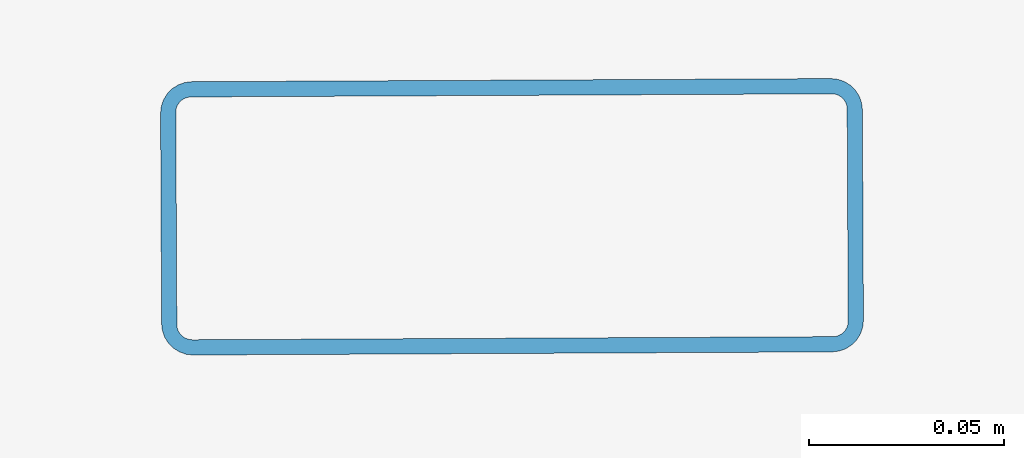
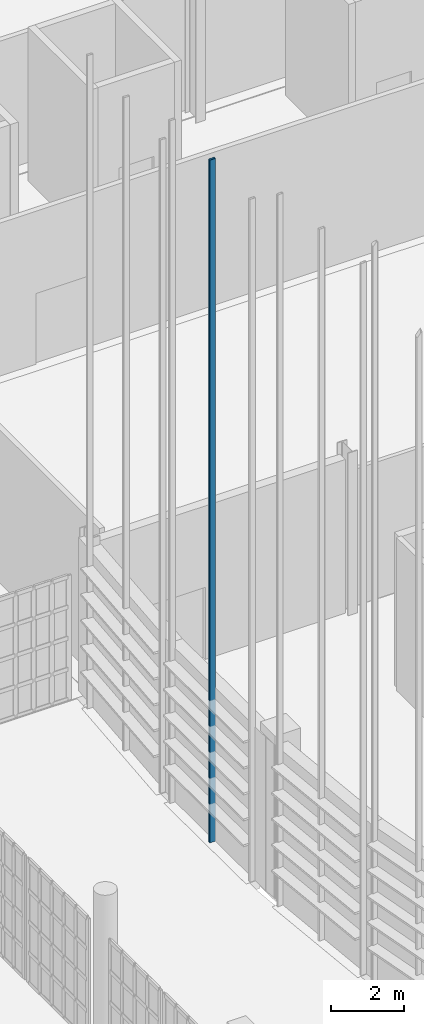
# One storey, part 91 of 372: 1 member.
"""IFC4 building model written with IfcOpenShell, lengths in metres."""

from ifc_helpers import new_model, si_unit, direction, frame, origin, origin_2d, place, context, subcontext, project, spatial, hollow_rectangle, extrude, material, material_profile, profile_set, type_object, element, save


model = new_model("IFC4")

# Units and contexts
model_context = context("Model", 3, precision=1e-05, world=origin(), true_north=direction((0.0, 1.0)))
body_context = subcontext(model_context, "Body", "Model", "MODEL_VIEW")
ifc_project = project(units=[si_unit("LENGTHUNIT", "METRE"), si_unit("AREAUNIT", "SQUARE_METRE"), si_unit("VOLUMEUNIT", "CUBIC_METRE"), si_unit("PLANEANGLEUNIT", "RADIAN"), si_unit("MASSUNIT", "GRAM", prefix="KILO")], contexts=[model_context])

# Site, building, storey
site_placement = place(None, origin())
site = spatial("IfcSite", under=ifc_project, at=site_placement, CompositionType="ELEMENT")
building_placement = place(site_placement, origin())
building = spatial("IfcBuilding", under=site, at=building_placement, Name="Kaelora Sail Theatre", CompositionType="ELEMENT")
storey_placement = place(building_placement, origin())
storey = spatial("IfcBuildingStorey", under=building, at=storey_placement, Name="L00", CompositionType="ELEMENT", Elevation=0.0)

# Member
ifc_material = material(Name="Anodised aluminium 6063-T6", Category="aluminium")
ifc_material_profile = material_profile(ifc_material, hollow_rectangle(XDim=0.070068359375, YDim=0.179931640625, WallThickness=0.00390625, InnerFilletRadius=0.00390625, OuterFilletRadius=0.008056640625, at=origin_2d()), Name="ALU-MULL 70x180x4")
ifc_profile_set = profile_set([ifc_material_profile], Name="Anodised aluminium 6063-T6")
member_type = type_object("IfcMemberType", Name="ARC-MEM-PST-160", PredefinedType="POST", material=ifc_profile_set)
member_placement = place(storey_placement, frame((25.189697265625, 53.3037109375, 0.0), z_axis=(0.0, 0.0, 1.0), x_axis=(-0.004886902454, 0.999988059021, 0.0)))
element("IfcMember", 1, at=member_placement, inside=storey, type_object=member_type, Name="Main Theatre Sail Drum solar louvre vertical support post C21-2", PredefinedType="POST", context=body_context, shape_type="SweptSolid", body=[
    extrude(hollow_rectangle(XDim=0.070068359375, YDim=0.179931640625, WallThickness=0.00390625, InnerFilletRadius=0.00390625, OuterFilletRadius=0.008056640625, at=origin_2d()), origin(), (0.0, 0.0, 1.0), 22.691162109375),
])

save(model, "model.ifc")
